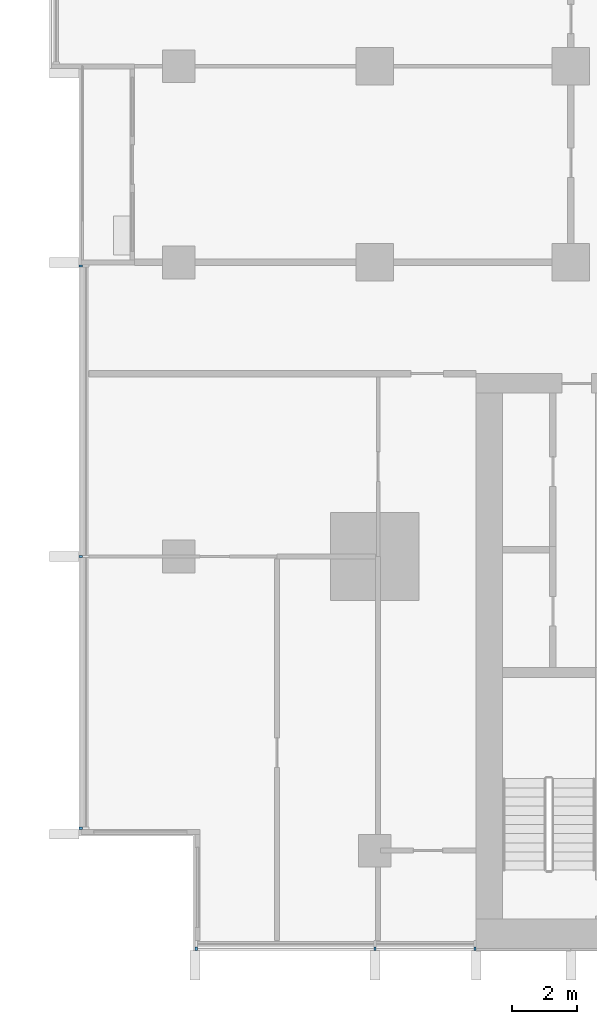
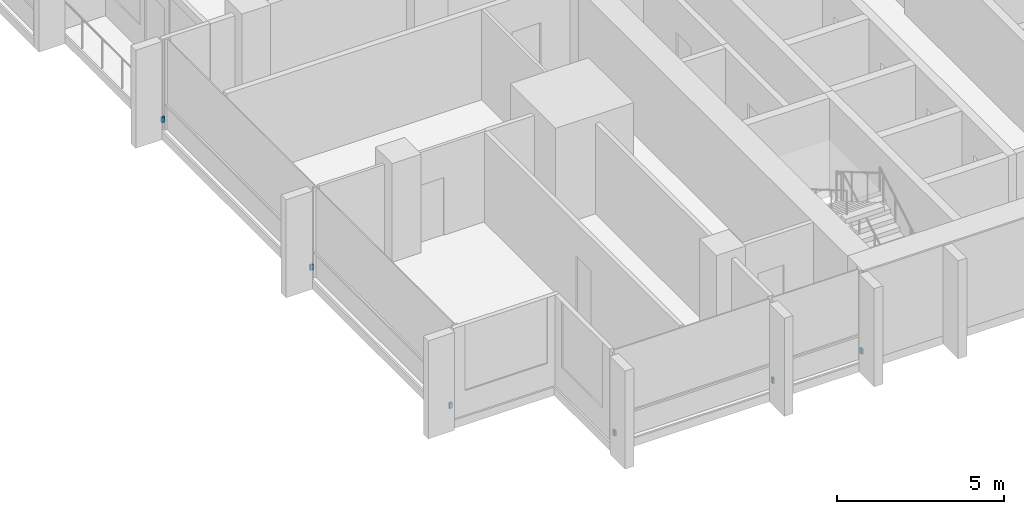
# One storey, part 13 of 17: 6 discrete accessories.
"""IFC4 building model written with IfcOpenShell, lengths in metres."""

from ifc_helpers import new_model, si_unit, direction, frame, origin, origin_2d, place, context, subcontext, project, spatial, rectangle, extrude, material, type_object, element, save


model = new_model("IFC4")

# Units and contexts
model_context = context("Model", 3, precision=1e-05, world=origin(), true_north=direction((0.0, 1.0)))
body_context = subcontext(model_context, "Body", "Model", "MODEL_VIEW")
ifc_project = project(units=[si_unit("LENGTHUNIT", "METRE"), si_unit("AREAUNIT", "SQUARE_METRE"), si_unit("VOLUMEUNIT", "CUBIC_METRE"), si_unit("PLANEANGLEUNIT", "RADIAN"), si_unit("MASSUNIT", "GRAM", prefix="KILO")], contexts=[model_context])

# Site, building, storey
site_placement = place(None, origin())
site = spatial("IfcSite", under=ifc_project, at=site_placement, CompositionType="ELEMENT")
building_placement = place(site_placement, origin())
building = spatial("IfcBuilding", under=site, at=building_placement, Name="Finial Court Residences", CompositionType="ELEMENT")
storey_placement = place(building_placement, frame((0.0, 0.0, 91.89990234375)))
storey = spatial("IfcBuildingStorey", under=building, at=storey_placement, Name="L22", CompositionType="ELEMENT", Elevation=91.89990234375)

# Discrete accessories
ifc_material = material(Name="Stainless steel 316", Category="steel")
discrete_accessory_type = type_object("IfcDiscreteAccessoryType", Name="Fin bracket, stainless steel 65 x 110 x 200", PredefinedType="BRACKET", material=ifc_material)
for number, where, z_axis, x_axis, name in (
    (1, (-21.967529296875, -25.5048828125, 0.30029296875), (0.0, 0.0, 1.0), (1.0, 0.0, 0.0), "E-L22-FIN-S16-BRK"),
    (2, (-16.5, -25.5048828125, 0.30029296875), (0.0, 0.0, 1.0), (1.0, 0.0, 0.0), "E-L22-FIN-S17-BRK"),
    (3, (-13.4326171875, -25.5048828125, 0.30029296875), (0.0, 0.0, 1.0), (1.0, 0.0, 0.0), "E-L22-FIN-S18-BRK"),
):
    element("IfcDiscreteAccessory", number, at=place(storey_placement, frame(where, z_axis=z_axis, x_axis=x_axis)), inside=storey, type_object=discrete_accessory_type, Name=name, PredefinedType="BRACKET", context=body_context, shape_type="SweptSolid", body=[
        extrude(rectangle(XDim=0.06494140625, YDim=0.110107421875, at=origin_2d()), origin(), (0.0, 0.0, 1.0), 0.199951171875),
    ])
for number, where, z_axis, x_axis, name in (
    (4, (-25.5048828125, -21.8173828125, 0.30029296875), (0.0, 0.0, 1.0), (1.0, 0.0, 0.0), "E-L22-FIN-W26-BRK"),
    (5, (-25.5048828125, -13.5, 0.30029296875), (0.0, 0.0, 1.0), (1.0, 0.0, 0.0), "E-L22-FIN-W27-BRK"),
    (6, (-25.5048828125, -4.607421875, 0.30029296875), (0.0, 0.0, 1.0), (1.0, 0.0, 0.0), "E-L22-FIN-W28-BRK"),
):
    element("IfcDiscreteAccessory", number, at=place(storey_placement, frame(where, z_axis=z_axis, x_axis=x_axis)), inside=storey, type_object=discrete_accessory_type, Name=name, PredefinedType="BRACKET", context=body_context, shape_type="SweptSolid", body=[
        extrude(rectangle(XDim=0.110107421875, YDim=0.06494140625, at=origin_2d()), origin(), (0.0, 0.0, 1.0), 0.199951171875),
    ])

save(model, "model.ifc")
